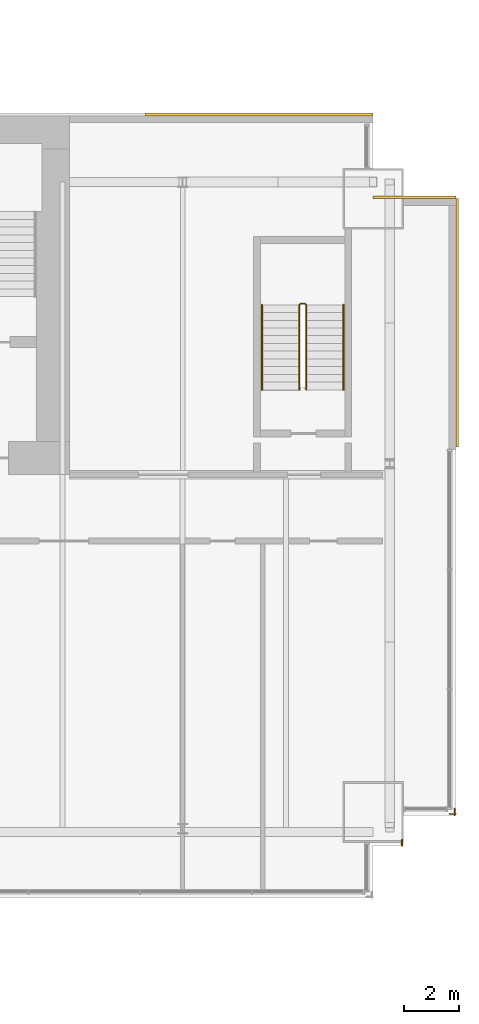
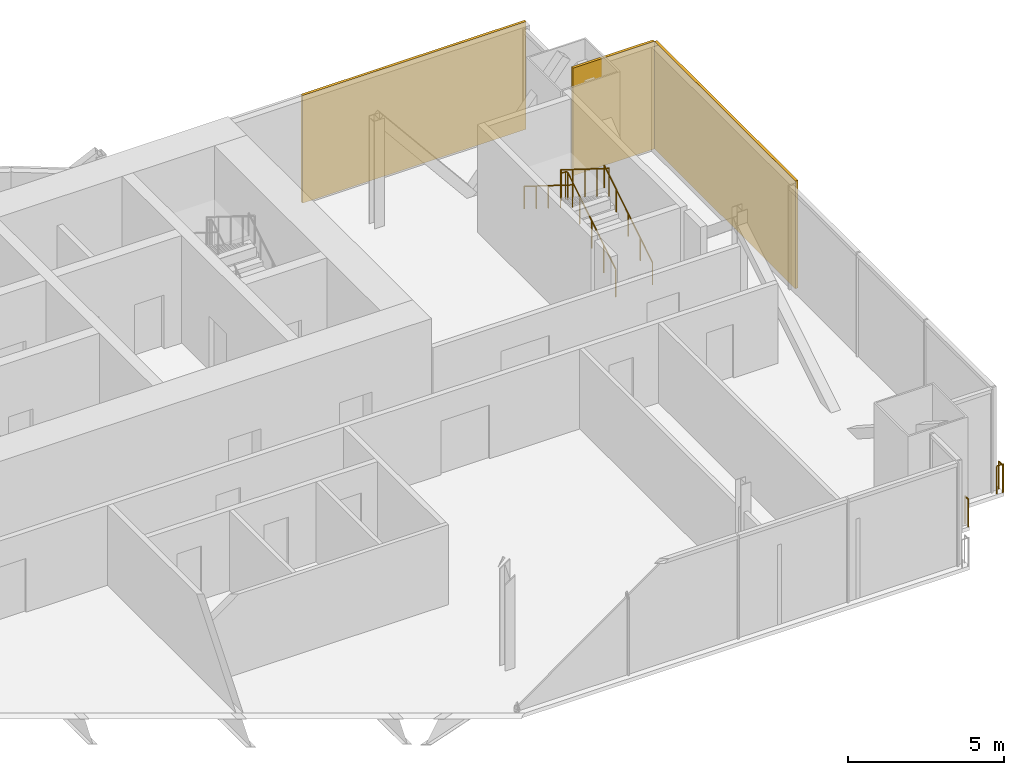
# One storey, part 19 of 19: 5 railings, 3 coverings.
"""IFC4 building model written with IfcOpenShell, lengths in metres."""

from ifc_helpers import new_model, si_unit, direction, frame, origin, origin_2d, place, context, subcontext, project, spatial, rectangle, circle, extrude, material, layer, layer_set, type_object, element, save


model = new_model("IFC4")

# Units and contexts
model_context = context("Model", 3, precision=1e-05, world=origin(), true_north=direction((0.0, 1.0)))
body_context = subcontext(model_context, "Body", "Model", "MODEL_VIEW")
ifc_project = project(units=[si_unit("LENGTHUNIT", "METRE"), si_unit("AREAUNIT", "SQUARE_METRE"), si_unit("VOLUMEUNIT", "CUBIC_METRE"), si_unit("PLANEANGLEUNIT", "RADIAN"), si_unit("MASSUNIT", "GRAM", prefix="KILO")], contexts=[model_context])

# Site, building, storey
site_placement = place(None, origin())
site = spatial("IfcSite", under=ifc_project, at=site_placement, CompositionType="ELEMENT")
building_placement = place(site_placement, origin())
building = spatial("IfcBuilding", under=site, at=building_placement, Name="Bicima Exchange Tower", CompositionType="ELEMENT")
storey_placement = place(building_placement, frame((0.0, 0.0, 275.0)))
storey = spatial("IfcBuildingStorey", under=building, at=storey_placement, Name="L62", CompositionType="ELEMENT", Elevation=275.0)

# Coverings
ifc_material_1 = material(Name="Bronze metal cladding")
ifc_layer_1 = layer(ifc_material_1, 0.004)
ifc_material_2 = material(Name="Ventilated cavity")
ifc_layer_2 = layer(ifc_material_2, 0.06)
ifc_material_3 = material(Name="Galvanised steel rail and mineral wool", Category="steel")
ifc_layer_3 = layer(ifc_material_3, 0.036)
ifc_layer_set = layer_set([ifc_layer_1, ifc_layer_2, ifc_layer_3], Name="Ventilated cavity")
covering_type = type_object("IfcCoveringType", Name="Bronze metal cladding panel 100", PredefinedType="CLADDING", material=ifc_layer_set)
covering_1_placement = place(storey_placement, frame((28.875, 0.050048828125, -0.14990234375), z_axis=(0.0, 0.0, 1.0), x_axis=(-1.0, 0.0, 0.0)))
element("IfcCovering", 1, at=covering_1_placement, inside=storey, type_object=covering_type, Name="Bronze cladding L62 1.1", PredefinedType="CLADDING", context=body_context, shape_type="SweptSolid", body=[
    extrude(rectangle(XDim=8.25, YDim=0.10009765625, at=origin_2d()), origin(), (0.0, 0.0, 1.0), 4.199951171875),
])
covering_2_placement = place(storey_placement, frame((36.050048828125, -7.5, -0.14990234375), z_axis=(0.0, 0.0, 1.0), x_axis=(0.0, 1.0, 0.0)))
element("IfcCovering", 2, at=covering_2_placement, inside=storey, type_object=covering_type, Name="Bronze cladding L62 50.1", PredefinedType="CLADDING", context=body_context, shape_type="SweptSolid", body=[
    extrude(rectangle(XDim=9.0, YDim=0.10009765625, at=origin_2d()), origin(), (0.0, 0.0, 1.0), 4.199951171875),
])
covering_3_placement = place(storey_placement, frame((34.5, -2.949951171875, -0.14990234375), z_axis=(0.0, 0.0, 1.0), x_axis=(-1.0, 0.0, 0.0)))
element("IfcCovering", 3, at=covering_3_placement, inside=storey, type_object=covering_type, Name="Bronze cladding L62 51.1", PredefinedType="CLADDING", context=body_context, shape_type="SweptSolid", body=[
    extrude(rectangle(XDim=3.0, YDim=0.10009765625, at=origin_2d()), origin(), (0.0, 0.0, 1.0), 4.199951171875),
])

# Railings
ifc_material_4 = material(Name="Stainless steel and bonded safety glass", Category="steel")
railing_type_1 = type_object("IfcRailingType", Name="Edge guard 1100", PredefinedType="GUARDRAIL", material=ifc_material_4)
railing_1_placement = place(storey_placement, frame((35.949951171875, -25.087890625, 0.0)))
element("IfcRailing", 4, at=railing_1_placement, inside=storey, type_object=railing_type_1, Name="Edge guard L62 320", PredefinedType="GUARDRAIL", context=body_context, shape_type="SweptSolid", body=[
    extrude(circle(Radius=0.02392578125, at=origin_2d()), frame((0.0, 0.0, 1.076171875), z_axis=(0.0, -1.0, 0.0), x_axis=(1.0, 0.0, 0.0)), (0.0, 0.0, 1.0), 0.248046875),
    extrude(circle(Radius=0.02392578125, at=origin_2d()), frame((0.0, -0.248046875, 1.076171875), z_axis=(0.707106781187, 0.707106781187, 0.0), x_axis=(-0.707106781187, 0.707106781187, 0.0)), (0.0, 0.0, 1.0), 0.07080078125),
    extrude(circle(Radius=0.02392578125, at=origin_2d()), frame((0.050048828125, -0.197998046875, 1.076171875), z_axis=(-1.0, 0.0, 0.0), x_axis=(0.0, -1.0, 0.0)), (0.0, 0.0, 1.0), 0.237060546875),
    extrude(circle(Radius=0.02099609375, at=origin_2d()), origin(), (0.0, 0.0, 1.0), 1.052001953125),
    extrude(circle(Radius=0.02099609375, at=origin_2d()), frame((0.0, -0.248046875, 0.0)), (0.0, 0.0, 1.0), 1.052001953125),
    extrude(circle(Radius=0.02099609375, at=origin_2d()), frame((0.050048828125, -0.197998046875, 0.0)), (0.0, 0.0, 1.0), 1.052001953125),
    extrude(circle(Radius=0.02099609375, at=origin_2d()), frame((-0.18701171875, -0.197998046875, 0.0)), (0.0, 0.0, 1.0), 1.052001953125),
])
railing_2_placement = place(storey_placement, frame((34.050048828125, -26.216064453125, 0.0)))
element("IfcRailing", 5, at=railing_2_placement, inside=storey, type_object=railing_type_1, Name="Edge guard L62 321", PredefinedType="GUARDRAIL", context=body_context, shape_type="SweptSolid", body=[
    extrude(circle(Radius=0.02392578125, at=origin_2d()), frame((0.0, 0.0, 1.076171875), z_axis=(0.0, -1.0, 0.0), x_axis=(1.0, 0.0, 0.0)), (0.0, 0.0, 1.0), 0.219970703125),
    extrude(circle(Radius=0.02099609375, at=origin_2d()), origin(), (0.0, 0.0, 1.0), 1.052001953125),
    extrude(circle(Radius=0.02099609375, at=origin_2d()), frame((0.0, -0.219970703125, 0.0)), (0.0, 0.0, 1.0), 1.052001953125),
])
ifc_material_5 = material(Name="Stainless steel", Category="steel")
railing_type_2 = type_object("IfcRailingType", Name="Stair guard 1100", PredefinedType="GUARDRAIL", material=ifc_material_5)
railing_3_placement = place(storey_placement, frame((30.574951171875, -9.925048828125, 0.175048828125)))
element("IfcRailing", 6, at=railing_3_placement, inside=storey, type_object=railing_type_2, Name="L62 ST-EE stair guard 1", PredefinedType="GUARDRAIL", context=body_context, shape_type="SweptSolid", body=[
    extrude(circle(Radius=0.02392578125, at=origin_2d()), frame((0.0, 0.0, 1.076171875), z_axis=(0.0, 0.847998304005, 0.529998940003), x_axis=(-1.0, 0.0, 0.0)), (0.0, 0.0, 1.0), 3.632080078125),
    extrude(circle(Radius=0.02392578125, at=origin_2d()), frame((0.0, 3.080078125, 3.0009765625), z_axis=(-0.707106781187, 0.707106781187, 0.0), x_axis=(-0.707106781187, -0.707106781187, 0.0)), (0.0, 0.0, 1.0), 0.07080078125),
    extrude(circle(Radius=0.02392578125, at=origin_2d()), frame((-0.050048828125, 3.130126953125, 3.0009765625), z_axis=(-1.0, 0.0, 0.0), x_axis=(0.0, -1.0, 0.0)), (0.0, 0.0, 1.0), 0.14990234375),
    extrude(circle(Radius=0.02392578125, at=origin_2d()), frame((-0.199951171875, 3.130126953125, 3.0009765625), z_axis=(-0.265383341853, -0.265383341853, 0.926899867156), x_axis=(0.707106781187, -0.707106781187, 0.0)), (0.0, 0.0, 1.0), 0.1884765625),
    extrude(circle(Radius=0.02392578125, at=origin_2d()), frame((-0.25, 3.080078125, 3.17578125), z_axis=(0.0, -0.847998304005, 0.529998940003), x_axis=(1.0, 0.0, 0.0)), (0.0, 0.0, 1.0), 3.632080078125),
    extrude(circle(Radius=0.02099609375, at=origin_2d()), origin(), (0.0, 0.0, 1.0), 1.052001953125),
    extrude(circle(Radius=0.02099609375, at=origin_2d()), frame((0.0, 0.77001953125, 0.481201171875)), (0.0, 0.0, 1.0), 1.052001953125),
    extrude(circle(Radius=0.02099609375, at=origin_2d()), frame((0.0, 1.5400390625, 0.96240234375)), (0.0, 0.0, 1.0), 1.052001953125),
    extrude(circle(Radius=0.02099609375, at=origin_2d()), frame((0.0, 2.31005859375, 1.44384765625)), (0.0, 0.0, 1.0), 1.052001953125),
    extrude(circle(Radius=0.02099609375, at=origin_2d()), frame((0.0, 3.080078125, 1.925048828125)), (0.0, 0.0, 1.0), 1.052001953125),
    extrude(circle(Radius=0.02099609375, at=origin_2d()), frame((-0.050048828125, 3.130126953125, 1.925048828125)), (0.0, 0.0, 1.0), 1.052001953125),
    extrude(circle(Radius=0.02099609375, at=origin_2d()), frame((-0.199951171875, 3.130126953125, 1.925048828125)), (0.0, 0.0, 1.0), 1.052001953125),
    extrude(circle(Radius=0.02099609375, at=origin_2d()), frame((-0.25, 3.080078125, 2.099853515625)), (0.0, 0.0, 1.0), 1.052001953125),
    extrude(circle(Radius=0.02099609375, at=origin_2d()), frame((-0.25, 2.31005859375, 2.5810546875)), (0.0, 0.0, 1.0), 1.052001953125),
    extrude(circle(Radius=0.02099609375, at=origin_2d()), frame((-0.25, 1.5400390625, 3.0625)), (0.0, 0.0, 1.0), 1.052001953125),
    extrude(circle(Radius=0.02099609375, at=origin_2d()), frame((-0.25, 0.77001953125, 3.543701171875)), (0.0, 0.0, 1.0), 1.052001953125),
    extrude(circle(Radius=0.02099609375, at=origin_2d()), frame((-0.25, 0.0, 4.02490234375)), (0.0, 0.0, 1.0), 1.052001953125),
])
railing_type_3 = type_object("IfcRailingType", Name="Stair handrail 900", PredefinedType="HANDRAIL", material=ifc_material_5)
railing_4_placement = place(storey_placement, frame((31.925048828125, -9.925048828125, 0.175048828125)))
element("IfcRailing", 7, at=railing_4_placement, inside=storey, type_object=railing_type_3, Name="L62 ST-EE stair handrail 1", PredefinedType="HANDRAIL", context=body_context, shape_type="SweptSolid", body=[
    extrude(circle(Radius=0.02392578125, at=origin_2d()), frame((0.0, 0.0, 0.8759765625), z_axis=(0.0, 0.847998304005, 0.529998940003), x_axis=(-1.0, 0.0, 0.0)), (0.0, 0.0, 1.0), 3.632080078125),
    extrude(circle(Radius=0.02099609375, at=origin_2d()), origin(), (0.0, 0.0, 1.0), 0.851806640625),
    extrude(circle(Radius=0.02099609375, at=origin_2d()), frame((0.0, 0.77001953125, 0.481201171875)), (0.0, 0.0, 1.0), 0.851806640625),
    extrude(circle(Radius=0.02099609375, at=origin_2d()), frame((0.0, 1.5400390625, 0.96240234375)), (0.0, 0.0, 1.0), 0.851806640625),
    extrude(circle(Radius=0.02099609375, at=origin_2d()), frame((0.0, 2.31005859375, 1.44384765625)), (0.0, 0.0, 1.0), 0.851806640625),
    extrude(circle(Radius=0.02099609375, at=origin_2d()), frame((0.0, 3.080078125, 1.925048828125)), (0.0, 0.0, 1.0), 0.851806640625),
])
railing_5_placement = place(storey_placement, frame((28.97509765625, -6.844970703125, 2.303955078125)))
element("IfcRailing", 8, at=railing_5_placement, inside=storey, type_object=railing_type_3, Name="L62 ST-EE stair handrail 2", PredefinedType="HANDRAIL", context=body_context, shape_type="SweptSolid", body=[
    extrude(circle(Radius=0.02392578125, at=origin_2d()), frame((0.0, 0.0, 0.8759765625), z_axis=(0.0, -0.847998304005, 0.529998940003), x_axis=(1.0, 0.0, 0.0)), (0.0, 0.0, 1.0), 3.632080078125),
    extrude(circle(Radius=0.02099609375, at=origin_2d()), origin(), (0.0, 0.0, 1.0), 0.851806640625),
    extrude(circle(Radius=0.02099609375, at=origin_2d()), frame((0.0, -0.77001953125, 0.481201171875)), (0.0, 0.0, 1.0), 0.851806640625),
    extrude(circle(Radius=0.02099609375, at=origin_2d()), frame((0.0, -1.5400390625, 0.96240234375)), (0.0, 0.0, 1.0), 0.851806640625),
    extrude(circle(Radius=0.02099609375, at=origin_2d()), frame((0.0, -2.31005859375, 1.44384765625)), (0.0, 0.0, 1.0), 0.851806640625),
    extrude(circle(Radius=0.02099609375, at=origin_2d()), frame((0.0, -3.080078125, 1.925048828125)), (0.0, 0.0, 1.0), 0.851806640625),
])

save(model, "model.ifc")
